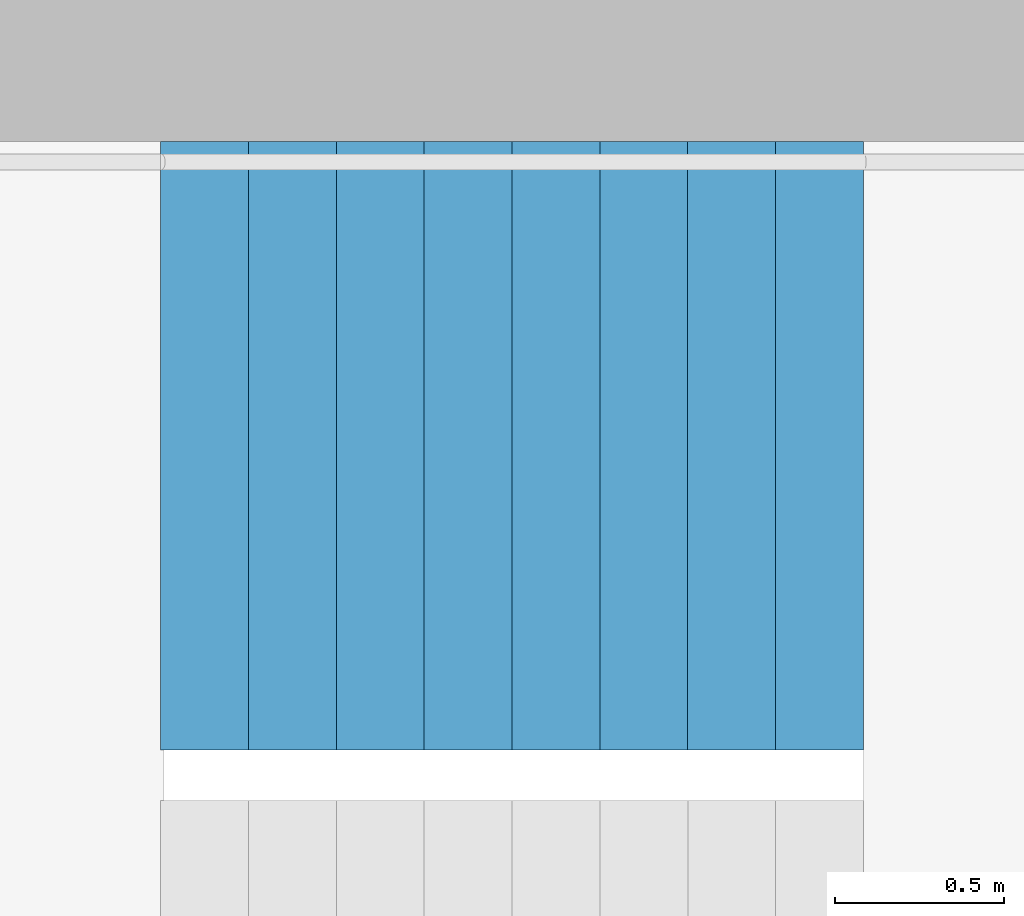
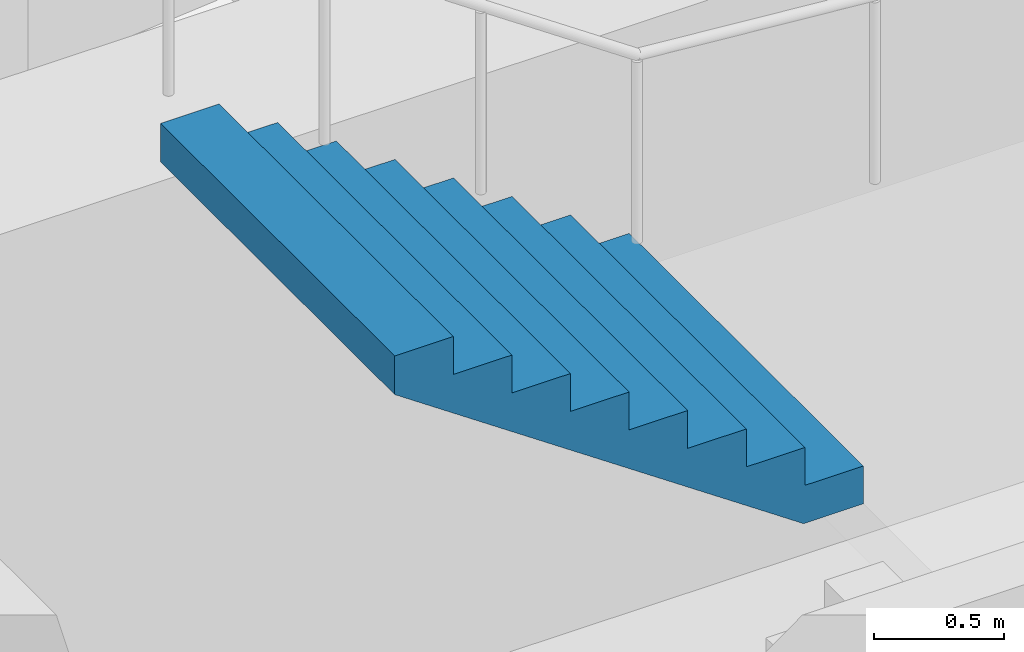
# One storey, part 22 of 27: 1 stair flight, 1 element without a shape of its own.
"""IFC4 building model written with IfcOpenShell, lengths in metres."""

from ifc_helpers import new_model, si_unit, direction, frame, origin, place, context, subcontext, project, spatial, triangles, material, type_object, element, aggregate, save


model = new_model("IFC4")

# Units and contexts
model_context = context("Model", 3, precision=1e-05, world=origin(), true_north=direction((0.0, 1.0)))
body_context = subcontext(model_context, "Body", "Model", "MODEL_VIEW")
ifc_project = project(units=[si_unit("LENGTHUNIT", "METRE"), si_unit("AREAUNIT", "SQUARE_METRE"), si_unit("VOLUMEUNIT", "CUBIC_METRE"), si_unit("PLANEANGLEUNIT", "RADIAN"), si_unit("MASSUNIT", "GRAM", prefix="KILO")], contexts=[model_context])

# Site, building, storey
site_placement = place(None, origin())
site = spatial("IfcSite", under=ifc_project, at=site_placement, CompositionType="ELEMENT")
building_placement = place(site_placement, origin())
building = spatial("IfcBuilding", under=site, at=building_placement, Name="Hakoniwa Tower and Hamabe Station Hall", CompositionType="ELEMENT")
storey_placement = place(building_placement, frame((0.0, 0.0, 239.0)))
storey = spatial("IfcBuildingStorey", under=building, at=storey_placement, Name="L67", CompositionType="ELEMENT", Elevation=239.0)

# Stair, stair flight
ifc_material_1 = material(Name="Concrete C40", Category="concrete")
stair_type = type_object("IfcStairType", Name="ESCAPE STAIR 1800", PredefinedType="HALF_TURN_STAIR", material=ifc_material_1)
stair_placement = place(storey_placement, origin())
stair = element("IfcStair", 1, at=stair_placement, inside=storey, type_object=stair_type, Name="Escape stair ST-1 L67", PredefinedType="HALF_TURN_STAIR")
ifc_material_2 = material(Name="Concrete C40", Category="concrete")
stair_flight_type = type_object("IfcStairFlightType", Name="STAIR FLIGHT 1800", PredefinedType="STRAIGHT", material=ifc_material_2)
stair_flight_placement = place(storey_placement, frame((-22.320068359375, 6.60009765625, 1.60009765625), z_axis=(0.0, 0.0, 1.0), x_axis=(-1.0, 0.0, 0.0)))
stair_flight = element("IfcStairFlight", 2, at=stair_flight_placement, type_object=stair_flight_type, Name="ST-1 flight 2", NumberOfRisers=9, NumberOfTreads=8, PredefinedType="STRAIGHT", RiserHeight=0.177777778, TreadLength=0.26, context=body_context, shape_type="Tessellation", body=[
    triangles([(0.0, 0.89990234375, 0.0), (0.260009765625, 0.89990234375, 0.0), (0.265625, 0.89990234375, 0.0), (0.52001953125, 0.89990234375, 0.174072265625), (0.780029296875, 0.89990234375, 0.351806640625), (1.0400390625, 0.89990234375, 0.529541015625), (1.300048828125, 0.89990234375, 0.707275390625), (1.56005859375, 0.89990234375, 0.885009765625), (1.820068359375, 0.89990234375, 1.062744140625), (2.080078125, 0.89990234375, 1.24072265625), (2.080078125, 0.89990234375, 1.422119140625), (1.820068359375, 0.89990234375, 1.422119140625), (1.820068359375, 0.89990234375, 1.244384765625), (1.56005859375, 0.89990234375, 1.244384765625), (1.56005859375, 0.89990234375, 1.066650390625), (1.300048828125, 0.89990234375, 1.066650390625), (1.300048828125, 0.89990234375, 0.888916015625), (1.0400390625, 0.89990234375, 0.888916015625), (1.0400390625, 0.89990234375, 0.711181640625), (0.780029296875, 0.89990234375, 0.711181640625), (0.780029296875, 0.89990234375, 0.533447265625), (0.52001953125, 0.89990234375, 0.533447265625), (0.52001953125, 0.89990234375, 0.35546875), (0.265625, 0.89990234375, 0.35546875), (0.260009765625, 0.89990234375, 0.35546875), (0.260009765625, 0.89990234375, 0.177734375), (0.0, 0.89990234375, 0.177734375), (0.0, 0.06005859375, 0.0), (0.260009765625, 0.06005859375, 0.0), (0.265625, 0.06005859375, 0.0), (0.52001953125, 0.06005859375, 0.174072265625), (0.780029296875, 0.06005859375, 0.351806640625), (1.0400390625, 0.06005859375, 0.529541015625), (1.300048828125, 0.06005859375, 0.707275390625), (1.56005859375, 0.06005859375, 0.885009765625), (1.820068359375, 0.06005859375, 1.062744140625), (2.080078125, 0.06005859375, 1.24072265625), (2.080078125, 0.06005859375, 1.422119140625), (1.820068359375, 0.06005859375, 1.422119140625), (1.820068359375, 0.06005859375, 1.244384765625), (1.56005859375, 0.06005859375, 1.244384765625), (1.56005859375, 0.06005859375, 1.066650390625), (1.300048828125, 0.06005859375, 1.066650390625), (1.300048828125, 0.06005859375, 0.888916015625), (1.0400390625, 0.06005859375, 0.888916015625), (1.0400390625, 0.06005859375, 0.711181640625), (0.780029296875, 0.06005859375, 0.711181640625), (0.780029296875, 0.06005859375, 0.533447265625), (0.52001953125, 0.06005859375, 0.533447265625), (0.52001953125, 0.06005859375, 0.35546875), (0.265625, 0.06005859375, 0.35546875), (0.260009765625, 0.06005859375, 0.35546875), (0.260009765625, 0.06005859375, 0.177734375), (0.0, 0.06005859375, 0.177734375), (0.0, 0.04296875, 0.0), (0.260009765625, 0.04296875, 0.0), (0.265625, 0.04296875, 0.0), (0.52001953125, 0.04296875, 0.174072265625), (0.780029296875, 0.04296875, 0.351806640625), (1.0400390625, 0.04296875, 0.529541015625), (1.300048828125, 0.04296875, 0.707275390625), (1.56005859375, 0.04296875, 0.885009765625), (1.820068359375, 0.04296875, 1.062744140625), (2.080078125, 0.04296875, 1.24072265625), (2.080078125, 0.04296875, 1.422119140625), (1.820068359375, 0.04296875, 1.422119140625), (1.820068359375, 0.04296875, 1.244384765625), (1.56005859375, 0.04296875, 1.244384765625), (1.56005859375, 0.04296875, 1.066650390625), (1.300048828125, 0.04296875, 1.066650390625), (1.300048828125, 0.04296875, 0.888916015625), (1.0400390625, 0.04296875, 0.888916015625), (1.0400390625, 0.04296875, 0.711181640625), (0.780029296875, 0.04296875, 0.711181640625), (0.780029296875, 0.04296875, 0.533447265625), (0.52001953125, 0.04296875, 0.533447265625), (0.52001953125, 0.04296875, 0.35546875), (0.265625, 0.04296875, 0.35546875), (0.260009765625, 0.04296875, 0.35546875), (0.260009765625, 0.04296875, 0.177734375), (0.0, 0.04296875, 0.177734375), (0.0, 0.025634765625, 0.0), (0.260009765625, 0.025634765625, 0.0), (0.265625, 0.025634765625, 0.0), (0.52001953125, 0.025634765625, 0.174072265625), (0.780029296875, 0.025634765625, 0.351806640625), (1.0400390625, 0.025634765625, 0.529541015625), (1.300048828125, 0.025634765625, 0.707275390625), (1.56005859375, 0.025634765625, 0.885009765625), (1.820068359375, 0.025634765625, 1.062744140625), (2.080078125, 0.025634765625, 1.24072265625), (2.080078125, 0.025634765625, 1.422119140625), (1.820068359375, 0.025634765625, 1.422119140625), (1.820068359375, 0.025634765625, 1.244384765625), (1.56005859375, 0.025634765625, 1.244384765625), (1.56005859375, 0.025634765625, 1.066650390625), (1.300048828125, 0.025634765625, 1.066650390625), (1.300048828125, 0.025634765625, 0.888916015625), (1.0400390625, 0.025634765625, 0.888916015625), (1.0400390625, 0.025634765625, 0.711181640625), (0.780029296875, 0.025634765625, 0.711181640625), (0.780029296875, 0.025634765625, 0.533447265625), (0.52001953125, 0.025634765625, 0.533447265625), (0.52001953125, 0.025634765625, 0.35546875), (0.265625, 0.025634765625, 0.35546875), (0.260009765625, 0.025634765625, 0.35546875), (0.260009765625, 0.025634765625, 0.177734375), (0.0, 0.025634765625, 0.177734375), (0.0, 0.008544921875, 0.0), (0.260009765625, 0.008544921875, 0.0), (0.265625, 0.008544921875, 0.0), (0.52001953125, 0.008544921875, 0.174072265625), (0.780029296875, 0.008544921875, 0.351806640625), (1.0400390625, 0.008544921875, 0.529541015625), (1.300048828125, 0.008544921875, 0.707275390625), (1.56005859375, 0.008544921875, 0.885009765625), (1.820068359375, 0.008544921875, 1.062744140625), (2.080078125, 0.008544921875, 1.24072265625), (2.080078125, 0.008544921875, 1.422119140625), (1.820068359375, 0.008544921875, 1.422119140625), (1.820068359375, 0.008544921875, 1.244384765625), (1.56005859375, 0.008544921875, 1.244384765625), (1.56005859375, 0.008544921875, 1.066650390625), (1.300048828125, 0.008544921875, 1.066650390625), (1.300048828125, 0.008544921875, 0.888916015625), (1.0400390625, 0.008544921875, 0.888916015625), (1.0400390625, 0.008544921875, 0.711181640625), (0.780029296875, 0.008544921875, 0.711181640625), (0.780029296875, 0.008544921875, 0.533447265625), (0.52001953125, 0.008544921875, 0.533447265625), (0.52001953125, 0.008544921875, 0.35546875), (0.265625, 0.008544921875, 0.35546875), (0.260009765625, 0.008544921875, 0.35546875), (0.260009765625, 0.008544921875, 0.177734375), (0.0, 0.008544921875, 0.177734375), (0.0, -0.008544921875, 0.0), (0.260009765625, -0.008544921875, 0.0), (0.265625, -0.008544921875, 0.0), (0.52001953125, -0.008544921875, 0.174072265625), (0.780029296875, -0.008544921875, 0.351806640625), (1.0400390625, -0.008544921875, 0.529541015625), (1.300048828125, -0.008544921875, 0.707275390625), (1.56005859375, -0.008544921875, 0.885009765625), (1.820068359375, -0.008544921875, 1.062744140625), (2.080078125, -0.008544921875, 1.24072265625), (2.080078125, -0.008544921875, 1.422119140625), (1.820068359375, -0.008544921875, 1.422119140625), (1.820068359375, -0.008544921875, 1.244384765625), (1.56005859375, -0.008544921875, 1.244384765625), (1.56005859375, -0.008544921875, 1.066650390625), (1.300048828125, -0.008544921875, 1.066650390625), (1.300048828125, -0.008544921875, 0.888916015625), (1.0400390625, -0.008544921875, 0.888916015625), (1.0400390625, -0.008544921875, 0.711181640625), (0.780029296875, -0.008544921875, 0.711181640625), (0.780029296875, -0.008544921875, 0.533447265625), (0.52001953125, -0.008544921875, 0.533447265625), (0.52001953125, -0.008544921875, 0.35546875), (0.265625, -0.008544921875, 0.35546875), (0.260009765625, -0.008544921875, 0.35546875), (0.260009765625, -0.008544921875, 0.177734375), (0.0, -0.008544921875, 0.177734375), (0.0, -0.025634765625, 0.0), (0.260009765625, -0.025634765625, 0.0), (0.265625, -0.025634765625, 0.0), (0.52001953125, -0.025634765625, 0.174072265625), (0.780029296875, -0.025634765625, 0.351806640625), (1.0400390625, -0.025634765625, 0.529541015625), (1.300048828125, -0.025634765625, 0.707275390625), (1.56005859375, -0.025634765625, 0.885009765625), (1.820068359375, -0.025634765625, 1.062744140625), (2.080078125, -0.025634765625, 1.24072265625), (2.080078125, -0.025634765625, 1.422119140625), (1.820068359375, -0.025634765625, 1.422119140625), (1.820068359375, -0.025634765625, 1.244384765625), (1.56005859375, -0.025634765625, 1.244384765625), (1.56005859375, -0.025634765625, 1.066650390625), (1.300048828125, -0.025634765625, 1.066650390625), (1.300048828125, -0.025634765625, 0.888916015625), (1.0400390625, -0.025634765625, 0.888916015625), (1.0400390625, -0.025634765625, 0.711181640625), (0.780029296875, -0.025634765625, 0.711181640625), (0.780029296875, -0.025634765625, 0.533447265625), (0.52001953125, -0.025634765625, 0.533447265625), (0.52001953125, -0.025634765625, 0.35546875), (0.265625, -0.025634765625, 0.35546875), (0.260009765625, -0.025634765625, 0.35546875), (0.260009765625, -0.025634765625, 0.177734375), (0.0, -0.025634765625, 0.177734375), (0.0, -0.04296875, 0.0), (0.260009765625, -0.04296875, 0.0), (0.265625, -0.04296875, 0.0), (0.52001953125, -0.04296875, 0.174072265625), (0.780029296875, -0.04296875, 0.351806640625), (1.0400390625, -0.04296875, 0.529541015625), (1.300048828125, -0.04296875, 0.707275390625), (1.56005859375, -0.04296875, 0.885009765625), (1.820068359375, -0.04296875, 1.062744140625), (2.080078125, -0.04296875, 1.24072265625), (2.080078125, -0.04296875, 1.422119140625), (1.820068359375, -0.04296875, 1.422119140625), (1.820068359375, -0.04296875, 1.244384765625), (1.56005859375, -0.04296875, 1.244384765625), (1.56005859375, -0.04296875, 1.066650390625), (1.300048828125, -0.04296875, 1.066650390625), (1.300048828125, -0.04296875, 0.888916015625), (1.0400390625, -0.04296875, 0.888916015625), (1.0400390625, -0.04296875, 0.711181640625), (0.780029296875, -0.04296875, 0.711181640625), (0.780029296875, -0.04296875, 0.533447265625), (0.52001953125, -0.04296875, 0.533447265625), (0.52001953125, -0.04296875, 0.35546875), (0.265625, -0.04296875, 0.35546875), (0.260009765625, -0.04296875, 0.35546875), (0.260009765625, -0.04296875, 0.177734375), (0.0, -0.04296875, 0.177734375), (0.0, -0.06005859375, 0.0), (0.260009765625, -0.06005859375, 0.0), (0.265625, -0.06005859375, 0.0), (0.52001953125, -0.06005859375, 0.174072265625), (0.780029296875, -0.06005859375, 0.351806640625), (1.0400390625, -0.06005859375, 0.529541015625), (1.300048828125, -0.06005859375, 0.707275390625), (1.56005859375, -0.06005859375, 0.885009765625), (1.820068359375, -0.06005859375, 1.062744140625), (2.080078125, -0.06005859375, 1.24072265625), (2.080078125, -0.06005859375, 1.422119140625), (1.820068359375, -0.06005859375, 1.422119140625), (1.820068359375, -0.06005859375, 1.244384765625), (1.56005859375, -0.06005859375, 1.244384765625), (1.56005859375, -0.06005859375, 1.066650390625), (1.300048828125, -0.06005859375, 1.066650390625), (1.300048828125, -0.06005859375, 0.888916015625), (1.0400390625, -0.06005859375, 0.888916015625), (1.0400390625, -0.06005859375, 0.711181640625), (0.780029296875, -0.06005859375, 0.711181640625), (0.780029296875, -0.06005859375, 0.533447265625), (0.52001953125, -0.06005859375, 0.533447265625), (0.52001953125, -0.06005859375, 0.35546875), (0.265625, -0.06005859375, 0.35546875), (0.260009765625, -0.06005859375, 0.35546875), (0.260009765625, -0.06005859375, 0.177734375), (0.0, -0.06005859375, 0.177734375), (0.0, -0.89990234375, 0.0), (0.260009765625, -0.89990234375, 0.0), (0.265625, -0.89990234375, 0.0), (0.52001953125, -0.89990234375, 0.174072265625), (0.780029296875, -0.89990234375, 0.351806640625), (1.0400390625, -0.89990234375, 0.529541015625), (1.300048828125, -0.89990234375, 0.707275390625), (1.56005859375, -0.89990234375, 0.885009765625), (1.820068359375, -0.89990234375, 1.062744140625), (2.080078125, -0.89990234375, 1.24072265625), (2.080078125, -0.89990234375, 1.422119140625), (1.820068359375, -0.89990234375, 1.422119140625), (1.820068359375, -0.89990234375, 1.244384765625), (1.56005859375, -0.89990234375, 1.244384765625), (1.56005859375, -0.89990234375, 1.066650390625), (1.300048828125, -0.89990234375, 1.066650390625), (1.300048828125, -0.89990234375, 0.888916015625), (1.0400390625, -0.89990234375, 0.888916015625), (1.0400390625, -0.89990234375, 0.711181640625), (0.780029296875, -0.89990234375, 0.711181640625), (0.780029296875, -0.89990234375, 0.533447265625), (0.52001953125, -0.89990234375, 0.533447265625), (0.52001953125, -0.89990234375, 0.35546875), (0.265625, -0.89990234375, 0.35546875), (0.260009765625, -0.89990234375, 0.35546875), (0.260009765625, -0.89990234375, 0.177734375), (0.0, -0.89990234375, 0.177734375)], [[2, 27, 26], [245, 269, 270], [2, 1, 27], [245, 270, 244], [3, 25, 24], [246, 267, 268], [3, 26, 25], [246, 268, 269], [3, 2, 26], [246, 269, 245], [4, 24, 23], [247, 266, 267], [4, 3, 24], [247, 267, 246], [5, 22, 21], [248, 264, 265], [5, 23, 22], [248, 265, 266], [5, 4, 23], [248, 266, 247], [6, 20, 19], [249, 262, 263], [6, 21, 20], [249, 263, 264], [6, 5, 21], [249, 264, 248], [7, 18, 17], [250, 260, 261], [7, 19, 18], [250, 261, 262], [7, 6, 19], [250, 262, 249], [8, 16, 15], [251, 258, 259], [8, 17, 16], [251, 259, 260], [8, 7, 17], [251, 260, 250], [9, 14, 13], [252, 256, 257], [9, 15, 14], [252, 257, 258], [9, 8, 15], [252, 258, 251], [10, 12, 11], [253, 254, 255], [10, 13, 12], [253, 255, 256], [10, 9, 13], [253, 256, 252], [1, 2, 29], [1, 29, 28], [28, 29, 56], [28, 56, 55], [55, 56, 83], [55, 83, 82], [82, 83, 110], [82, 110, 109], [109, 110, 137], [109, 137, 136], [136, 137, 164], [136, 164, 163], [163, 164, 191], [163, 191, 190], [190, 191, 218], [190, 218, 217], [217, 218, 245], [217, 245, 244], [2, 3, 30], [2, 30, 29], [29, 30, 57], [29, 57, 56], [56, 57, 84], [56, 84, 83], [83, 84, 111], [83, 111, 110], [110, 111, 138], [110, 138, 137], [137, 138, 165], [137, 165, 164], [164, 165, 192], [164, 192, 191], [191, 192, 219], [191, 219, 218], [218, 219, 246], [218, 246, 245], [3, 4, 31], [3, 31, 30], [30, 31, 58], [30, 58, 57], [57, 58, 85], [57, 85, 84], [84, 85, 112], [84, 112, 111], [111, 112, 139], [111, 139, 138], [138, 139, 166], [138, 166, 165], [165, 166, 193], [165, 193, 192], [192, 193, 220], [192, 220, 219], [219, 220, 247], [219, 247, 246], [4, 5, 32], [4, 32, 31], [31, 32, 59], [31, 59, 58], [58, 59, 86], [58, 86, 85], [85, 86, 113], [85, 113, 112], [112, 113, 140], [112, 140, 139], [139, 140, 167], [139, 167, 166], [166, 167, 194], [166, 194, 193], [193, 194, 221], [193, 221, 220], [220, 221, 248], [220, 248, 247], [5, 6, 33], [5, 33, 32], [32, 33, 60], [32, 60, 59], [59, 60, 87], [59, 87, 86], [86, 87, 114], [86, 114, 113], [113, 114, 141], [113, 141, 140], [140, 141, 168], [140, 168, 167], [167, 168, 195], [167, 195, 194], [194, 195, 222], [194, 222, 221], [221, 222, 249], [221, 249, 248], [6, 7, 34], [6, 34, 33], [33, 34, 61], [33, 61, 60], [60, 61, 88], [60, 88, 87], [87, 88, 115], [87, 115, 114], [114, 115, 142], [114, 142, 141], [141, 142, 169], [141, 169, 168], [168, 169, 196], [168, 196, 195], [195, 196, 223], [195, 223, 222], [222, 223, 250], [222, 250, 249], [7, 8, 35], [7, 35, 34], [34, 35, 62], [34, 62, 61], [61, 62, 89], [61, 89, 88], [88, 89, 116], [88, 116, 115], [115, 116, 143], [115, 143, 142], [142, 143, 170], [142, 170, 169], [169, 170, 197], [169, 197, 196], [196, 197, 224], [196, 224, 223], [223, 224, 251], [223, 251, 250], [8, 9, 36], [8, 36, 35], [35, 36, 63], [35, 63, 62], [62, 63, 90], [62, 90, 89], [89, 90, 117], [89, 117, 116], [116, 117, 144], [116, 144, 143], [143, 144, 171], [143, 171, 170], [170, 171, 198], [170, 198, 197], [197, 198, 225], [197, 225, 224], [224, 225, 252], [224, 252, 251], [9, 10, 37], [9, 37, 36], [36, 37, 64], [36, 64, 63], [63, 64, 91], [63, 91, 90], [90, 91, 118], [90, 118, 117], [117, 118, 145], [117, 145, 144], [144, 145, 172], [144, 172, 171], [171, 172, 199], [171, 199, 198], [198, 199, 226], [198, 226, 225], [225, 226, 253], [225, 253, 252], [10, 11, 38], [10, 38, 37], [37, 38, 65], [37, 65, 64], [64, 65, 92], [64, 92, 91], [91, 92, 119], [91, 119, 118], [118, 119, 146], [118, 146, 145], [145, 146, 173], [145, 173, 172], [172, 173, 200], [172, 200, 199], [199, 200, 227], [199, 227, 226], [226, 227, 254], [226, 254, 253], [11, 12, 39], [11, 39, 38], [38, 39, 66], [38, 66, 65], [65, 66, 93], [65, 93, 92], [92, 93, 120], [92, 120, 119], [119, 120, 147], [119, 147, 146], [146, 147, 174], [146, 174, 173], [173, 174, 201], [173, 201, 200], [200, 201, 228], [200, 228, 227], [227, 228, 255], [227, 255, 254], [12, 13, 40], [12, 40, 39], [39, 40, 67], [39, 67, 66], [66, 67, 94], [66, 94, 93], [93, 94, 121], [93, 121, 120], [120, 121, 148], [120, 148, 147], [147, 148, 175], [147, 175, 174], [174, 175, 202], [174, 202, 201], [201, 202, 229], [201, 229, 228], [228, 229, 256], [228, 256, 255], [13, 14, 41], [13, 41, 40], [40, 41, 68], [40, 68, 67], [67, 68, 95], [67, 95, 94], [94, 95, 122], [94, 122, 121], [121, 122, 149], [121, 149, 148], [148, 149, 176], [148, 176, 175], [175, 176, 203], [175, 203, 202], [202, 203, 230], [202, 230, 229], [229, 230, 257], [229, 257, 256], [14, 15, 42], [14, 42, 41], [41, 42, 69], [41, 69, 68], [68, 69, 96], [68, 96, 95], [95, 96, 123], [95, 123, 122], [122, 123, 150], [122, 150, 149], [149, 150, 177], [149, 177, 176], [176, 177, 204], [176, 204, 203], [203, 204, 231], [203, 231, 230], [230, 231, 258], [230, 258, 257], [15, 16, 43], [15, 43, 42], [42, 43, 70], [42, 70, 69], [69, 70, 97], [69, 97, 96], [96, 97, 124], [96, 124, 123], [123, 124, 151], [123, 151, 150], [150, 151, 178], [150, 178, 177], [177, 178, 205], [177, 205, 204], [204, 205, 232], [204, 232, 231], [231, 232, 259], [231, 259, 258], [16, 17, 44], [16, 44, 43], [43, 44, 71], [43, 71, 70], [70, 71, 98], [70, 98, 97], [97, 98, 125], [97, 125, 124], [124, 125, 152], [124, 152, 151], [151, 152, 179], [151, 179, 178], [178, 179, 206], [178, 206, 205], [205, 206, 233], [205, 233, 232], [232, 233, 260], [232, 260, 259], [17, 18, 45], [17, 45, 44], [44, 45, 72], [44, 72, 71], [71, 72, 99], [71, 99, 98], [98, 99, 126], [98, 126, 125], [125, 126, 153], [125, 153, 152], [152, 153, 180], [152, 180, 179], [179, 180, 207], [179, 207, 206], [206, 207, 234], [206, 234, 233], [233, 234, 261], [233, 261, 260], [18, 19, 46], [18, 46, 45], [45, 46, 73], [45, 73, 72], [72, 73, 100], [72, 100, 99], [99, 100, 127], [99, 127, 126], [126, 127, 154], [126, 154, 153], [153, 154, 181], [153, 181, 180], [180, 181, 208], [180, 208, 207], [207, 208, 235], [207, 235, 234], [234, 235, 262], [234, 262, 261], [19, 20, 47], [19, 47, 46], [46, 47, 74], [46, 74, 73], [73, 74, 101], [73, 101, 100], [100, 101, 128], [100, 128, 127], [127, 128, 155], [127, 155, 154], [154, 155, 182], [154, 182, 181], [181, 182, 209], [181, 209, 208], [208, 209, 236], [208, 236, 235], [235, 236, 263], [235, 263, 262], [20, 21, 48], [20, 48, 47], [47, 48, 75], [47, 75, 74], [74, 75, 102], [74, 102, 101], [101, 102, 129], [101, 129, 128], [128, 129, 156], [128, 156, 155], [155, 156, 183], [155, 183, 182], [182, 183, 210], [182, 210, 209], [209, 210, 237], [209, 237, 236], [236, 237, 264], [236, 264, 263], [21, 22, 49], [21, 49, 48], [48, 49, 76], [48, 76, 75], [75, 76, 103], [75, 103, 102], [102, 103, 130], [102, 130, 129], [129, 130, 157], [129, 157, 156], [156, 157, 184], [156, 184, 183], [183, 184, 211], [183, 211, 210], [210, 211, 238], [210, 238, 237], [237, 238, 265], [237, 265, 264], [22, 23, 50], [22, 50, 49], [49, 50, 77], [49, 77, 76], [76, 77, 104], [76, 104, 103], [103, 104, 131], [103, 131, 130], [130, 131, 158], [130, 158, 157], [157, 158, 185], [157, 185, 184], [184, 185, 212], [184, 212, 211], [211, 212, 239], [211, 239, 238], [238, 239, 266], [238, 266, 265], [23, 24, 51], [23, 51, 50], [50, 51, 78], [50, 78, 77], [77, 78, 105], [77, 105, 104], [104, 105, 132], [104, 132, 131], [131, 132, 159], [131, 159, 158], [158, 159, 186], [158, 186, 185], [185, 186, 213], [185, 213, 212], [212, 213, 240], [212, 240, 239], [239, 240, 267], [239, 267, 266], [24, 25, 52], [24, 52, 51], [51, 52, 79], [51, 79, 78], [78, 79, 106], [78, 106, 105], [105, 106, 133], [105, 133, 132], [132, 133, 160], [132, 160, 159], [159, 160, 187], [159, 187, 186], [186, 187, 214], [186, 214, 213], [213, 214, 241], [213, 241, 240], [240, 241, 268], [240, 268, 267], [25, 26, 53], [25, 53, 52], [52, 53, 80], [52, 80, 79], [79, 80, 107], [79, 107, 106], [106, 107, 134], [106, 134, 133], [133, 134, 161], [133, 161, 160], [160, 161, 188], [160, 188, 187], [187, 188, 215], [187, 215, 214], [214, 215, 242], [214, 242, 241], [241, 242, 269], [241, 269, 268], [26, 27, 54], [26, 54, 53], [53, 54, 81], [53, 81, 80], [80, 81, 108], [80, 108, 107], [107, 108, 135], [107, 135, 134], [134, 135, 162], [134, 162, 161], [161, 162, 189], [161, 189, 188], [188, 189, 216], [188, 216, 215], [215, 216, 243], [215, 243, 242], [242, 243, 270], [242, 270, 269], [27, 1, 28], [27, 28, 54], [54, 28, 55], [54, 55, 81], [81, 55, 82], [81, 82, 108], [108, 82, 109], [108, 109, 135], [135, 109, 136], [135, 136, 162], [162, 136, 163], [162, 163, 189], [189, 163, 190], [189, 190, 216], [216, 190, 217], [216, 217, 243], [243, 217, 244], [243, 244, 270]], closed=True),
])
aggregate(stair, [stair_flight])

save(model, "model.ifc")
